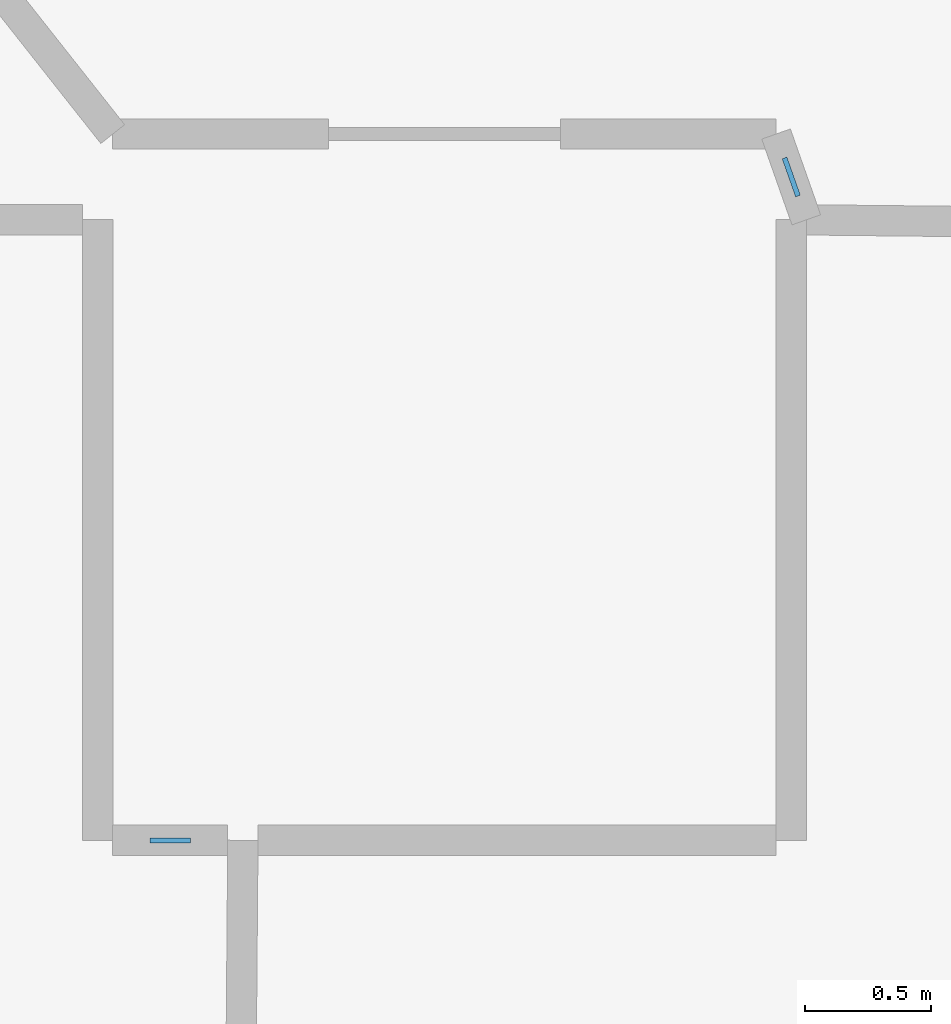
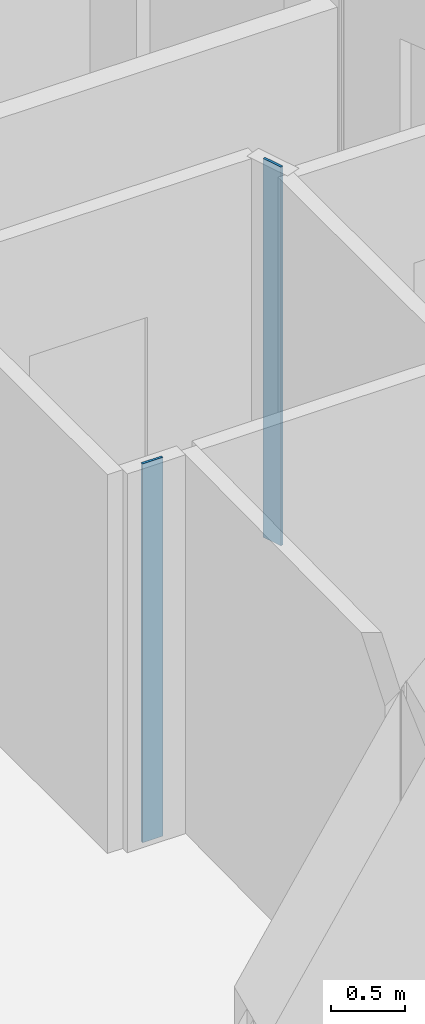
# One storey, part 8 of 17: 2 plates.
"""IFC4 building model written with IfcOpenShell, lengths in metres."""

from ifc_helpers import new_model, si_unit, direction, frame, origin, origin_2d, place, context, subcontext, project, spatial, rectangle, extrude, material, layer, layer_set, type_object, element, save


model = new_model("IFC4")

# Units and contexts
model_context = context("Model", 3, precision=1e-05, world=origin(), true_north=direction((0.0, 1.0)))
body_context = subcontext(model_context, "Body", "Model", "MODEL_VIEW")
ifc_project = project(units=[si_unit("LENGTHUNIT", "METRE"), si_unit("AREAUNIT", "SQUARE_METRE"), si_unit("VOLUMEUNIT", "CUBIC_METRE"), si_unit("PLANEANGLEUNIT", "RADIAN"), si_unit("MASSUNIT", "GRAM", prefix="KILO")], contexts=[model_context])

# Site, building, storey
site_placement = place(None, origin())
site = spatial("IfcSite", under=ifc_project, at=site_placement, CompositionType="ELEMENT")
building_placement = place(site_placement, origin())
building = spatial("IfcBuilding", under=site, at=building_placement, Name="Miruveldt Soraemaru", CompositionType="ELEMENT")
storey_placement = place(building_placement, frame((0.0, 0.0, 53.0)))
storey = spatial("IfcBuildingStorey", under=building, at=storey_placement, Name="L14", CompositionType="ELEMENT", Elevation=53.0)

# Plates
ifc_material = material(Name="Anodised aluminium EN AW-6063 T6", Category="aluminium")
ifc_layer = layer(ifc_material, 0.02001953125, Name="Anodised aluminium EN AW-6063 T6", Category="aluminium")
ifc_layer_set = layer_set([ifc_layer], Name="Anodised aluminium EN AW-6063 T6")
plate_type = type_object("IfcPlateType", Name="PLT-PART-TRIM", PredefinedType="SHEET", material=ifc_layer_set)
for number, where, z_axis, x_axis, name in (
    (1, (62.867919921875, 28.489013671875, 0.0), (0.0, 0.0, 1.0), (1.0, 0.0, 0.0), "L14 Partition Step Corner Trim Plate 103"),
    (2, (65.330078125, 31.118896484375, 0.0), (0.0, 0.0, 1.0), (0.332819544523, -0.942990535893, 0.0), "L14 Partition Step Corner Trim Plate 001"),
):
    element("IfcPlate", number, at=place(storey_placement, frame(where, z_axis=z_axis, x_axis=x_axis)), inside=storey, type_object=plate_type, Name=name, PredefinedType="SHEET", context=body_context, shape_type="SweptSolid", body=[
        extrude(rectangle(XDim=0.159912109375, YDim=0.02001953125, at=origin_2d()), origin(), (0.0, 0.0, 1.0), 3.125),
    ])

save(model, "model.ifc")
